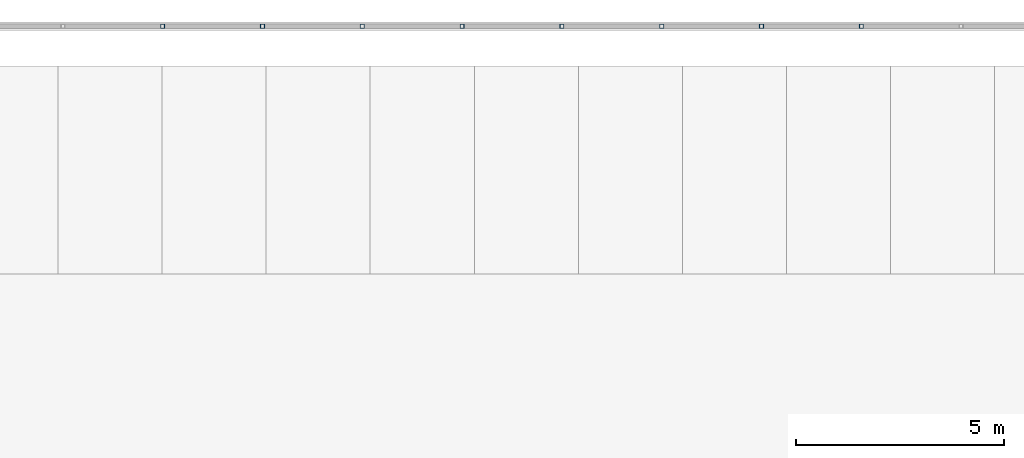
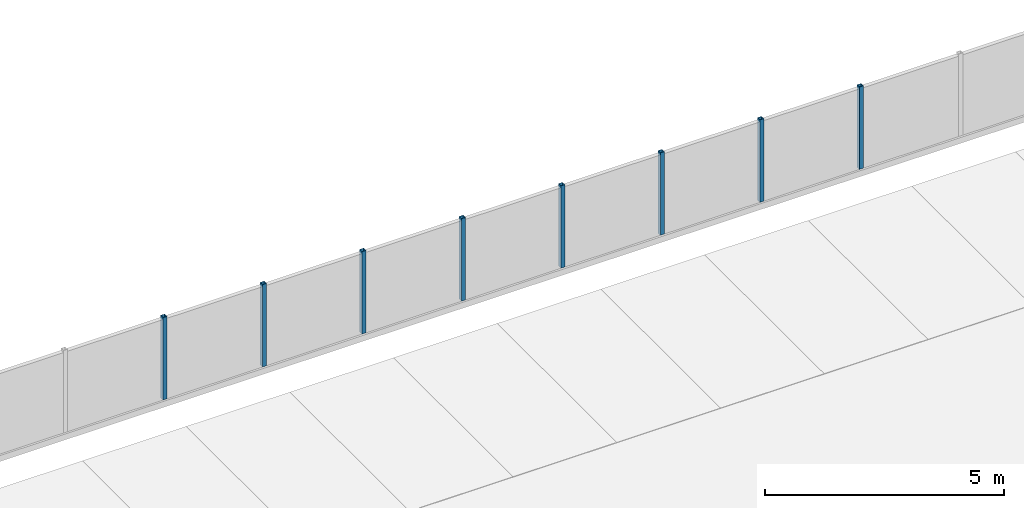
# One storey, part 26 of 129: 8 members.
"""IFC4 building model written with IfcOpenShell, lengths in metres."""

from ifc_helpers import new_model, si_unit, direction, frame, origin, origin_2d, place, context, subcontext, project, spatial, hollow_rectangle, extrude, material, material_profile, profile_set, type_object, element, save


model = new_model("IFC4")

# Units and contexts
model_context = context("Model", 3, precision=1e-05, world=origin(), true_north=direction((0.0, 1.0)))
body_context = subcontext(model_context, "Body", "Model", "MODEL_VIEW")
ifc_project = project(units=[si_unit("LENGTHUNIT", "METRE"), si_unit("AREAUNIT", "SQUARE_METRE"), si_unit("VOLUMEUNIT", "CUBIC_METRE"), si_unit("PLANEANGLEUNIT", "RADIAN"), si_unit("MASSUNIT", "GRAM", prefix="KILO")], contexts=[model_context])

# Site, building, storey
site_placement = place(None, origin())
site = spatial("IfcSite", under=ifc_project, at=site_placement, CompositionType="ELEMENT")
building_placement = place(site_placement, origin())
building = spatial("IfcBuilding", under=site, at=building_placement, Name="Kiln Court Media Centre", CompositionType="ELEMENT")
storey_placement = place(building_placement, origin())
storey = spatial("IfcBuildingStorey", under=building, at=storey_placement, Name="L00", CompositionType="ELEMENT", Elevation=0.0)

# Members
ifc_material = material(Name="Steel ASTM A500 Gr C", Category="steel")
ifc_material_profile = material_profile(ifc_material, hollow_rectangle(XDim=0.10009765625, YDim=0.10009765625, WallThickness=0.00634765625, at=origin_2d()), Name="SHS 100x100x6.3")
ifc_profile_set = profile_set([ifc_material_profile], Name="Steel ASTM A500 Gr C")
member_type = type_object("IfcMemberType", Name="Steel ASTM A500 Gr C fence post SHS 100x100x6.3", PredefinedType="USERDEFINED", material=ifc_profile_set)
for number, where, z_axis, x_axis, name in (
    (1, (64.81201171875, 87.85009765625, -1.050048828125), (0.0, 0.0, 1.0), (1.0, 0.0, 0.0), "Fence post 26"),
    (2, (67.210693359375, 87.85009765625, -1.050048828125), (0.0, 0.0, 1.0), (1.0, 0.0, 0.0), "Fence post 27"),
    (3, (69.609130859375, 87.85009765625, -1.050048828125), (0.0, 0.0, 1.0), (1.0, 0.0, 0.0), "Fence post 28"),
    (4, (72.007568359375, 87.85009765625, -1.050048828125), (0.0, 0.0, 1.0), (1.0, 0.0, 0.0), "Fence post 29"),
    (5, (74.406005859375, 87.85009765625, -1.050048828125), (0.0, 0.0, 1.0), (1.0, 0.0, 0.0), "Fence post 30"),
    (6, (76.804443359375, 87.85009765625, -1.050048828125), (0.0, 0.0, 1.0), (1.0, 0.0, 0.0), "Fence post 31"),
    (7, (79.202880859375, 87.85009765625, -1.050048828125), (0.0, 0.0, 1.0), (1.0, 0.0, 0.0), "Fence post 32"),
    (8, (81.6015625, 87.85009765625, -1.050048828125), (0.0, 0.0, 1.0), (1.0, 0.0, 0.0), "Fence post 33"),
):
    element("IfcMember", number, at=place(storey_placement, frame(where, z_axis=z_axis, x_axis=x_axis)), inside=storey, type_object=member_type, Name=name, ObjectType="FENCE POST", PredefinedType="USERDEFINED", context=body_context, shape_type="SweptSolid", body=[
        extrude(hollow_rectangle(XDim=0.10009765625, YDim=0.10009765625, WallThickness=0.00634765625, at=origin_2d()), origin(), (0.0, 0.0, 1.0), 2.10009765625),
    ])

save(model, "model.ifc")
